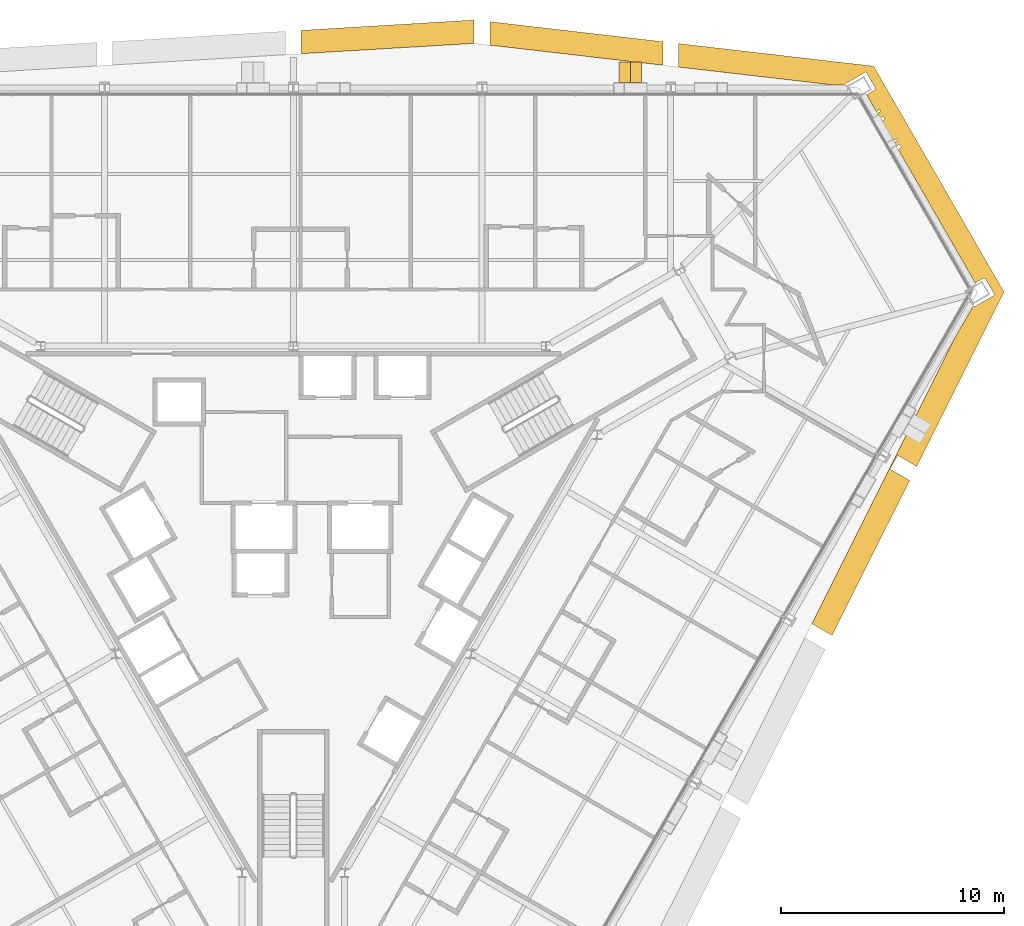
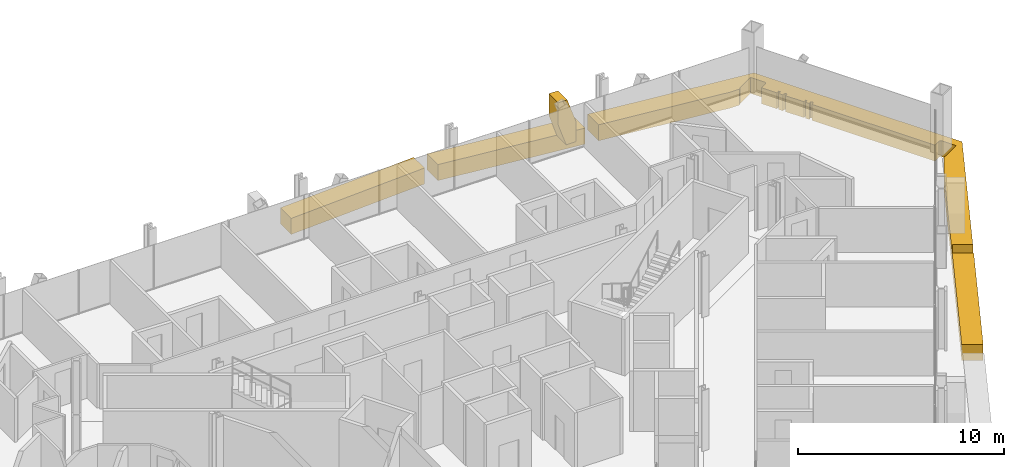
# One storey, part 17 of 17: 4 coverings.
"""IFC4 building model written with IfcOpenShell, lengths in metres."""

from ifc_helpers import new_model, si_unit, direction, frame, origin, place, context, subcontext, project, spatial, polyline, outline, extrude, material, layer, layer_set, type_object, element, save


model = new_model("IFC4")

# Units and contexts
model_context = context("Model", 3, precision=1e-05, world=origin(), true_north=direction((0.0, 1.0)))
body_context = subcontext(model_context, "Body", "Model", "MODEL_VIEW")
ifc_project = project(units=[si_unit("LENGTHUNIT", "METRE"), si_unit("AREAUNIT", "SQUARE_METRE"), si_unit("VOLUMEUNIT", "CUBIC_METRE"), si_unit("PLANEANGLEUNIT", "RADIAN"), si_unit("MASSUNIT", "GRAM", prefix="KILO")], contexts=[model_context])

# Site, building, storey
site_placement = place(None, origin())
site = spatial("IfcSite", under=ifc_project, at=site_placement, CompositionType="ELEMENT")
building_placement = place(site_placement, origin())
building = spatial("IfcBuilding", under=site, at=building_placement, Name="Verrane Prism Tower", CompositionType="ELEMENT")
storey_placement = place(building_placement, frame((0.0, 0.0, 40.39990234375)))
storey = spatial("IfcBuildingStorey", under=building, at=storey_placement, Name="L07", CompositionType="ELEMENT", Elevation=40.39990234375)

# Coverings
ifc_material_1 = material(Name="Warm limestone cladding", Category="masonry")
ifc_layer_1 = layer(ifc_material_1, 0.89990234375)
ifc_layer_set_1 = layer_set([ifc_layer_1], Name="Stone brace fin 900")
covering_type_1 = type_object("IfcCoveringType", Name="Stone brace fin 900", PredefinedType="CLADDING", material=ifc_layer_set_1)
covering_1_placement = place(storey_placement, frame((15.612060546875, 21.47412109375, 0.0), z_axis=(0.0, 0.0, 1.0), x_axis=(-1.0, 0.0, 0.0)))
element("IfcCovering", 1, at=covering_1_placement, inside=storey, type_object=covering_type_1, Name="Stone brace fin N2 L07", PredefinedType="CLADDING", context=body_context, shape_type="SweptSolid", body=[
    extrude(outline(polyline([(1.010009765625, 2.650146484375), (0.496337890625, 2.650146484375), (0.0, 1.17138671875), (0.0, 0.0), (0.55615234375, 0.0), (1.010009765625, 1.351806640625), (1.010009765625, 2.650146484375)])), frame((0.0, 0.449951171875, 0.0), z_axis=(0.0, -1.0, 0.0), x_axis=(1.0, 0.0, 0.0)), (0.0, 0.0, 1.0), 0.89990234375),
])
ifc_material_2 = material(Name="Warm limestone cladding", Category="masonry")
ifc_layer_2 = layer(ifc_material_2, 0.449951171875)
ifc_layer_set_2 = layer_set([ifc_layer_2], Name="Stone spandrel band 450")
covering_type_2 = type_object("IfcCoveringType", Name="Stone spandrel band 450", PredefinedType="CLADDING", material=ifc_layer_set_2)
covering_2_placement = place(storey_placement, frame((0.0, 0.0, -0.949951171875)))
element("IfcCovering", 2, at=covering_2_placement, inside=storey, type_object=covering_type_2, Name="Stone spandrel band L07 part 2", PredefinedType="CLADDING", context=body_context, shape_type="SweptSolid", body=[
    extrude(outline(polyline([(17.2666015625, 22.76318359375), (17.2666015625, 21.709716796875), (24.22412109375, 20.9033203125), (24.72705078125, 20.9033203125), (24.779296875, 20.97265625), (25.676513671875, 21.49072265625), (26.101318359375, 20.7548828125), (26.026123046875, 20.654541015625), (25.703125, 20.468017578125), (26.1396484375, 19.7119140625), (26.280517578125, 19.793212890625), (26.32421875, 19.71728515625), (26.183349609375, 19.635986328125), (26.308837890625, 19.418701171875), (26.44970703125, 19.5), (26.522216796875, 19.374267578125), (26.381591796875, 19.29296875), (26.896728515625, 18.400390625), (27.03759765625, 18.481689453125), (27.081298828125, 18.406005859375), (26.9404296875, 18.32470703125), (27.04833984375, 18.137939453125), (27.162841796875, 18.24755859375), (27.2646484375, 18.14111328125), (27.1240234375, 18.006591796875), (30.574951171875, 12.029541015625), (30.898193359375, 12.216064453125), (31.0234375, 12.228515625), (31.4482421875, 11.492919921875), (30.550537109375, 10.974853515625), (30.46875, 10.966552734375), (29.673583984375, 9.58935546875), (23.248046875, -3.25146484375), (24.156005859375, -3.775634765625), (27.6337890625, 3.1748046875), (26.751220703125, 3.6845703125), (27.10107421875, 4.290771484375), (27.94775390625, 3.802001953125), (31.862548828125, 11.62548828125), (26.017822265625, 21.748779296875), (17.2666015625, 22.76318359375)])), origin(), (0.0, 0.0, 1.0), 0.949951171875),
])
covering_3_placement = place(storey_placement, frame((0.0, 0.0, -0.949951171875)))
element("IfcCovering", 3, at=covering_3_placement, inside=storey, type_object=covering_type_2, Name="Stone spandrel band L07 part 6", PredefinedType="CLADDING", context=body_context, shape_type="SweptSolid", body=[
    extrude(outline(polyline([(8.80810546875, 22.690185546875), (16.56640625, 21.791015625), (16.56640625, 22.844482421875), (8.80810546875, 23.74365234375), (8.80810546875, 22.690185546875)])), origin(), (0.0, 0.0, 1.0), 0.949951171875),
])
covering_4_placement = place(storey_placement, frame((0.0, 0.0, -0.949951171875)))
element("IfcCovering", 4, at=covering_4_placement, inside=storey, type_object=covering_type_2, Name="Stone spandrel band L07 part 11", PredefinedType="CLADDING", context=body_context, shape_type="SweptSolid", body=[
    extrude(outline(polyline([(0.35009765625, 22.30615234375), (8.108154296875, 22.769287109375), (8.108154296875, 23.817626953125), (0.35009765625, 23.354248046875), (0.35009765625, 22.30615234375)])), origin(), (0.0, 0.0, 1.0), 0.949951171875),
])

save(model, "model.ifc")
